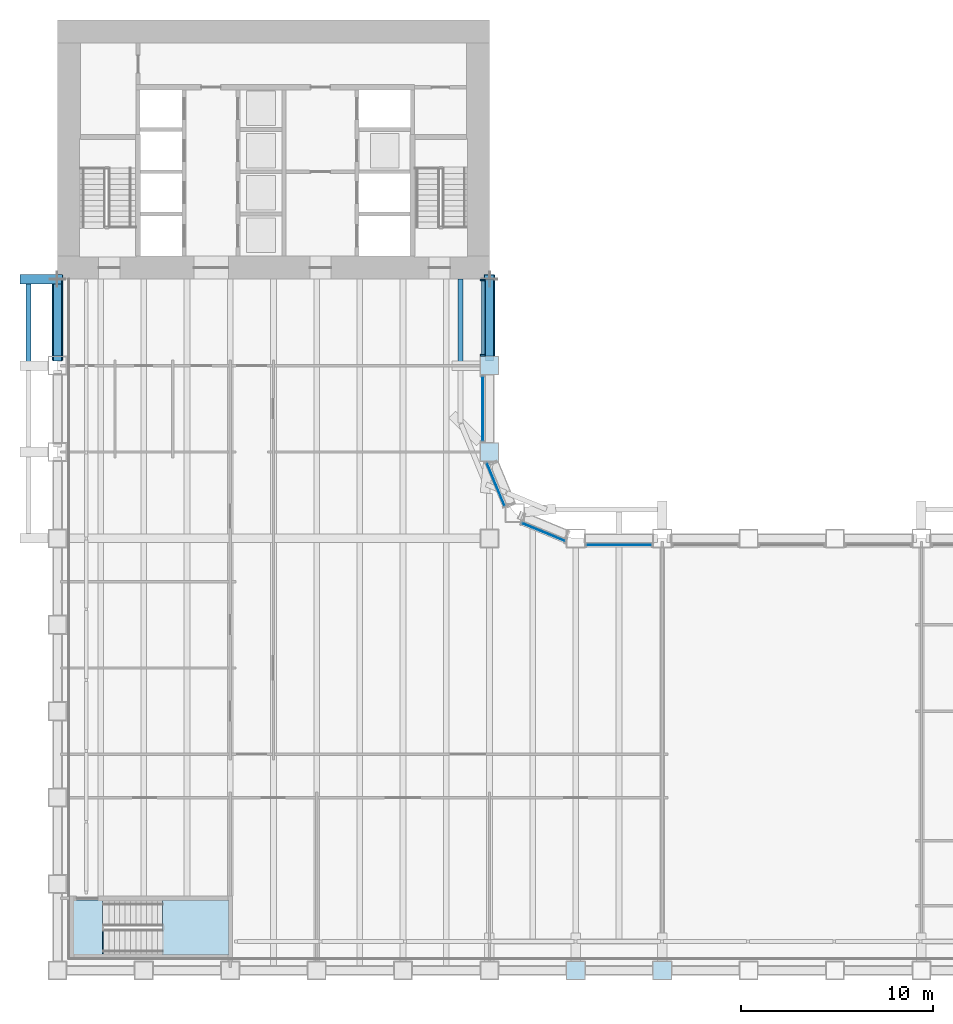
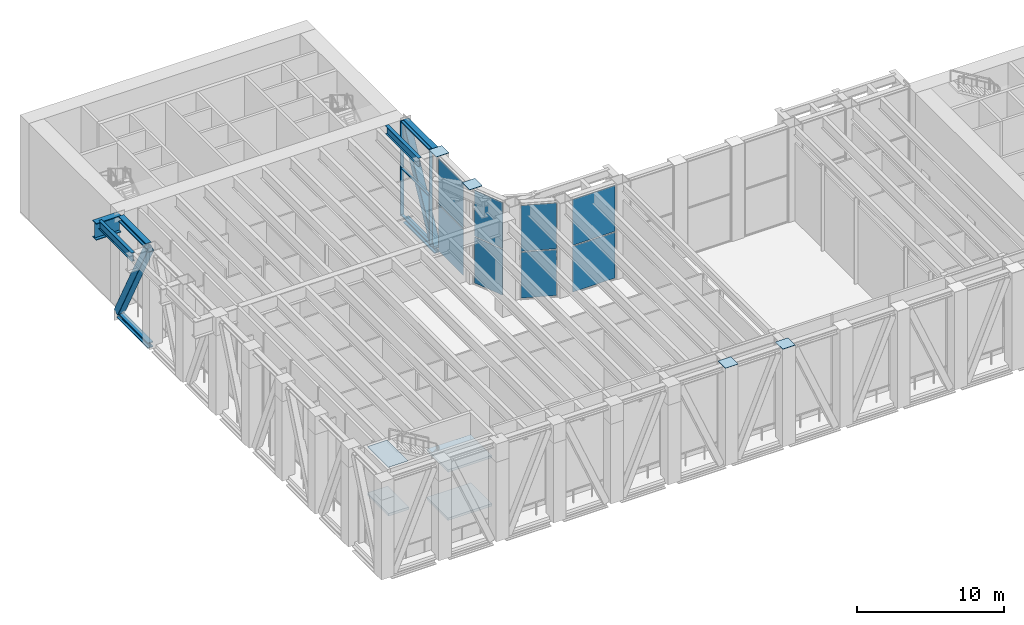
# One storey, part 4 of 21: 12 plates, 11 members, 4 slabs, 3 beams, 6 elements without a shape of their own.
"""IFC4 building model written with IfcOpenShell, lengths in metres."""

from ifc_helpers import new_model, si_unit, direction, frame, origin, origin_2d, place, context, subcontext, project, spatial, polyline, rectangle, hollow_rectangle, i_section, outline, extrude, material, layer, layer_set, material_profile, profile_set, type_object, element, aggregate, save


model = new_model("IFC4")

# Units and contexts
model_context = context("Model", 3, precision=1e-05, world=origin(), true_north=direction((0.0, 1.0)))
body_context = subcontext(model_context, "Body", "Model", "MODEL_VIEW")
ifc_project = project(units=[si_unit("LENGTHUNIT", "METRE"), si_unit("AREAUNIT", "SQUARE_METRE"), si_unit("VOLUMEUNIT", "CUBIC_METRE"), si_unit("PLANEANGLEUNIT", "RADIAN"), si_unit("MASSUNIT", "GRAM", prefix="KILO")], contexts=[model_context])

# Site, building, storey
site_placement = place(None, origin())
site = spatial("IfcSite", under=ifc_project, at=site_placement, CompositionType="ELEMENT")
building_placement = place(site_placement, origin())
building = spatial("IfcBuilding", under=site, at=building_placement, Name="Sennacour Bend Tower", CompositionType="ELEMENT")
storey_placement = place(building_placement, frame((0.0, 0.0, 131.0)))
storey = spatial("IfcBuildingStorey", under=building, at=storey_placement, Name="L30", CompositionType="ELEMENT", Elevation=131.0)

# Members
ifc_material_1 = material(Name="Steel ASTM A992 Grade 50", Category="steel")
ifc_material_profile_1 = material_profile(ifc_material_1, i_section(OverallWidth=0.4189453125, OverallDepth=0.455078125, WebThickness=0.042236328125, FlangeThickness=0.067626953125, FilletRadius=0.01513671875, at=origin_2d()), Name="Steel ASTM A992 Grade 50", Category="steel")
ifc_profile_set_1 = profile_set([ifc_material_profile_1], Name="Steel ASTM A992 Grade 50")
member_type_1 = type_object("IfcMemberType", Name="Belt truss chord W360X551", PredefinedType="CHORD", material=ifc_profile_set_1)
for number, where, z_axis, x_axis, name in (
    (1, (0.0, 31.75, -0.4775390625), (0.0, 1.0, 0.0), (-1.0, 0.0, 0.0), "Belt truss chord BC L30-003"),
    (2, (22.5, 36.0, -0.4775390625), (0.0, -1.0, 0.0), (1.0, 0.0, 0.0), "Belt truss chord BC L30-004"),
):
    element("IfcMember", number, at=place(storey_placement, frame(where, z_axis=z_axis, x_axis=x_axis)), inside=storey, type_object=member_type_1, Name=name, PredefinedType="CHORD", context=body_context, shape_type="SweptSolid", body=[
        extrude(i_section(OverallWidth=0.4189453125, OverallDepth=0.455078125, WebThickness=0.042236328125, FlangeThickness=0.067626953125, FilletRadius=0.01513671875, at=origin_2d()), origin(), (0.0, 0.0, 1.0), 4.25),
    ])
member_1_placement = place(storey_placement, frame((0.0, 32.0, 7.62255859375), z_axis=(0.0, 1.0, 0.0), x_axis=(-1.0, 0.0, 0.0)))
element("IfcMember", 3, at=member_1_placement, inside=storey, type_object=member_type_1, Name="Belt truss chord BC L30-003", PredefinedType="CHORD", context=body_context, shape_type="SweptSolid", body=[
    extrude(i_section(OverallWidth=0.4189453125, OverallDepth=0.455078125, WebThickness=0.042236328125, FlangeThickness=0.067626953125, FilletRadius=0.01513671875, at=origin_2d()), origin(), (0.0, 0.0, 1.0), 3.75),
])
member_2_placement = place(storey_placement, frame((22.5, 36.0, 7.62255859375), z_axis=(0.0, -1.0, 0.0), x_axis=(1.0, 0.0, 0.0)))
element("IfcMember", 4, at=member_2_placement, inside=storey, type_object=member_type_1, Name="Belt truss chord BC L30-004", PredefinedType="CHORD", context=body_context, shape_type="SweptSolid", body=[
    extrude(i_section(OverallWidth=0.4189453125, OverallDepth=0.455078125, WebThickness=0.042236328125, FlangeThickness=0.067626953125, FilletRadius=0.01513671875, at=origin_2d()), origin(), (0.0, 0.0, 1.0), 4.0),
])

# Curtain wall, members
ifc_material_2 = material(Name="Bronze anodised aluminium curtain wall with clear glass", Category="aluminium")
curtain_wall_type = type_object("IfcCurtainWallType", Name="CURTAIN WALL GARDEN", PredefinedType="NOTDEFINED", material=ifc_material_2)
curtain_wall_1_placement = place(storey_placement, origin())
curtain_wall_1 = element("IfcCurtainWall", 5, at=curtain_wall_1_placement, inside=storey, type_object=curtain_wall_type, Name="Sky garden glass wall L30", PredefinedType="NOTDEFINED")
ifc_material_3 = material(Name="Aluminium 6063-T6", Category="aluminium")
ifc_material_profile_2 = material_profile(ifc_material_3, rectangle(XDim=0.25, YDim=0.080078125, at=origin_2d()), Name="Aluminium 6063-T6", Category="aluminium")
ifc_profile_set_2 = profile_set([ifc_material_profile_2], Name="Aluminium 6063-T6")
member_type_2 = type_object("IfcMemberType", Name="CW-MULLION-250X80", PredefinedType="MULLION", material=ifc_profile_set_2)
member_3_placement = place(storey_placement, frame((22.156005859375, 35.958984375, 0.0), z_axis=(0.0, 0.0, 1.0), x_axis=(1.0, 0.0, 0.0)))
member_3 = element("IfcMember", 6, at=member_3_placement, type_object=member_type_2, Name="GW6 curtain wall mullion 1", PredefinedType="MULLION", context=body_context, shape_type="SweptSolid", body=[
    extrude(rectangle(XDim=0.25, YDim=0.080078125, at=origin_2d()), origin(), (0.0, 0.0, 1.0), 7.85009765625),
])
member_4_placement = place(storey_placement, frame((22.156005859375, 32.0400390625, 0.0), z_axis=(0.0, 0.0, 1.0), x_axis=(1.0, 0.0, 0.0)))
member_4 = element("IfcMember", 7, at=member_4_placement, type_object=member_type_2, Name="GW6 curtain wall mullion 2", PredefinedType="MULLION", context=body_context, shape_type="SweptSolid", body=[
    extrude(rectangle(XDim=0.25, YDim=0.080078125, at=origin_2d()), origin(), (0.0, 0.0, 1.0), 7.85009765625),
])
ifc_material_profile_3 = material_profile(ifc_material_3, rectangle(XDim=0.199951171875, YDim=0.080078125, at=origin_2d()), Name="Aluminium 6063-T6", Category="aluminium")
ifc_profile_set_3 = profile_set([ifc_material_profile_3], Name="Aluminium 6063-T6")
member_type_3 = type_object("IfcMemberType", Name="CW-TRANSOM-200X80", PredefinedType="USERDEFINED", material=ifc_profile_set_3)
member_5_placement = place(storey_placement, frame((22.156005859375, 35.9189453125, 0.0400390625), z_axis=(0.0, -1.0, 0.0), x_axis=(1.0, 0.0, 0.0)))
member_5 = element("IfcMember", 8, at=member_5_placement, type_object=member_type_3, Name="GW6 curtain wall transom 1.1", ObjectType="TRANSOM", PredefinedType="USERDEFINED", context=body_context, shape_type="SweptSolid", body=[
    extrude(rectangle(XDim=0.199951171875, YDim=0.080078125, at=origin_2d()), origin(), (0.0, 0.0, 1.0), 3.8388671875),
])
member_6_placement = place(storey_placement, frame((22.156005859375, 35.9189453125, 3.925048828125), z_axis=(0.0, -1.0, 0.0), x_axis=(1.0, 0.0, 0.0)))
member_6 = element("IfcMember", 9, at=member_6_placement, type_object=member_type_3, Name="GW6 curtain wall transom 1.2", ObjectType="TRANSOM", PredefinedType="USERDEFINED", context=body_context, shape_type="SweptSolid", body=[
    extrude(rectangle(XDim=0.199951171875, YDim=0.080078125, at=origin_2d()), origin(), (0.0, 0.0, 1.0), 3.8388671875),
])
member_7_placement = place(storey_placement, frame((22.156005859375, 35.9189453125, 7.81005859375), z_axis=(0.0, -1.0, 0.0), x_axis=(1.0, 0.0, 0.0)))
member_7 = element("IfcMember", 10, at=member_7_placement, type_object=member_type_3, Name="GW6 curtain wall transom 1.3", ObjectType="TRANSOM", PredefinedType="USERDEFINED", context=body_context, shape_type="SweptSolid", body=[
    extrude(rectangle(XDim=0.199951171875, YDim=0.080078125, at=origin_2d()), origin(), (0.0, 0.0, 1.0), 3.8388671875),
])
aggregate(curtain_wall_1, [member_3, member_4, member_5, member_6, member_7])

# Members
ifc_material_4 = material(Name="Steel ASTM A500 Grade C", Category="steel")
ifc_material_profile_4 = material_profile(ifc_material_4, hollow_rectangle(XDim=0.558837890625, YDim=0.558837890625, WallThickness=0.01904296875, InnerFilletRadius=0.01904296875, OuterFilletRadius=0.0380859375, at=origin_2d()), Name="Steel ASTM A500 Grade C", Category="steel")
ifc_profile_set_4 = profile_set([ifc_material_profile_4], Name="Steel ASTM A500 Grade C")
member_type_4 = type_object("IfcMemberType", Name="Outrigger truss diagonal 559", PredefinedType="BRACE", material=ifc_profile_set_4)
for number, where, z_axis, x_axis, name in (
    (11, (0.0, 32.0, 7.39501953125), (0.0, 0.463594594388, -0.88604743217), (-1.0, 0.0, 0.0), "Outrigger truss diagonal OD L30-003"),
    (12, (22.5, 32.0, -0.25), (0.0, 0.463594594388, 0.88604743217), (-1.0, 0.0, 0.0), "Outrigger truss diagonal OD L30-004"),
):
    element("IfcMember", number, at=place(storey_placement, frame(where, z_axis=z_axis, x_axis=x_axis)), inside=storey, type_object=member_type_4, Name=name, PredefinedType="BRACE", context=body_context, shape_type="SweptSolid", body=[
        extrude(hollow_rectangle(XDim=0.558837890625, YDim=0.558837890625, WallThickness=0.01904296875, InnerFilletRadius=0.01904296875, OuterFilletRadius=0.0380859375, at=origin_2d()), origin(), (0.0, 0.0, 1.0), 8.628173828125),
    ])

# Beams
ifc_material_profile_5 = material_profile(ifc_material_1, i_section(OverallWidth=0.25390625, OverallDepth=0.700927734375, WebThickness=0.015380859375, FlangeThickness=0.02783203125, FilletRadius=0.015380859375, at=origin_2d()), Name="Steel ASTM A992 Grade 50", Category="steel")
ifc_profile_set_5 = profile_set([ifc_material_profile_5], Name="Steel ASTM A992 Grade 50")
beam_type_1 = type_object("IfcBeamType", Name="Spandrel beam W690X192", PredefinedType="SPANDREL", material=ifc_profile_set_5)
beam_1_placement = place(storey_placement, frame((-1.5, 31.514892578125, 7.49951171875), z_axis=(0.0, 1.0, 0.0), x_axis=(-1.0, 0.0, 0.0)))
element("IfcBeam", 13, at=beam_1_placement, inside=storey, type_object=beam_type_1, Name="Spandrel beam SP4 L31-011", PredefinedType="SPANDREL", context=body_context, shape_type="SweptSolid", body=[
    extrude(i_section(OverallWidth=0.25390625, OverallDepth=0.700927734375, WebThickness=0.015380859375, FlangeThickness=0.02783203125, FilletRadius=0.015380859375, at=origin_2d()), origin(), (0.0, 0.0, 1.0), 4.47021484375),
])
beam_2_placement = place(storey_placement, frame((21.0, 36.0, 7.49951171875), z_axis=(0.0, -1.0, 0.0), x_axis=(1.0, 0.0, 0.0)))
element("IfcBeam", 14, at=beam_2_placement, inside=storey, type_object=beam_type_1, Name="Spandrel beam SP4 L31-012", PredefinedType="SPANDREL", context=body_context, shape_type="SweptSolid", body=[
    extrude(i_section(OverallWidth=0.25390625, OverallDepth=0.700927734375, WebThickness=0.015380859375, FlangeThickness=0.02783203125, FilletRadius=0.015380859375, at=origin_2d()), origin(), (0.0, 0.0, 1.0), 4.485107421875),
])
ifc_material_5 = material(Name="Steel ASTM A572 Grade 50", Category="steel")
ifc_material_profile_6 = material_profile(ifc_material_5, i_section(OverallWidth=0.5, OverallDepth=1.39990234375, WebThickness=0.030029296875, FlangeThickness=0.054931640625, at=origin_2d()), Name="Steel ASTM A572 Grade 50", Category="steel")
ifc_profile_set_6 = profile_set([ifc_material_profile_6], Name="Steel ASTM A572 Grade 50")
beam_type_2 = type_object("IfcBeamType", Name="Transfer stub 1400", PredefinedType="USERDEFINED", material=ifc_profile_set_6)
beam_3_placement = place(storey_placement, frame((0.0, 36.0, 7.14990234375), z_axis=(-1.0, 0.0, 0.0), x_axis=(0.0, -1.0, 0.0)))
element("IfcBeam", 15, at=beam_3_placement, inside=storey, type_object=beam_type_2, Name="Transfer beam TS L31-004", ObjectType="TRANSFER BEAM", PredefinedType="USERDEFINED", context=body_context, shape_type="SweptSolid", body=[
    extrude(i_section(OverallWidth=0.5, OverallDepth=1.39990234375, WebThickness=0.030029296875, FlangeThickness=0.054931640625, at=origin_2d()), origin(), (0.0, 0.0, 1.0), 1.949951171875),
])

# Plates
ifc_layer_1 = layer(ifc_material_5, 0.02490234375, Name="Steel ASTM A572 Grade 50", Category="steel")
ifc_layer_set_1 = layer_set([ifc_layer_1], Name="Steel ASTM A572 Grade 50")
plate_type_1 = type_object("IfcPlateType", Name="Column cap plate 1000", PredefinedType="USERDEFINED", material=ifc_layer_set_1)
for number, where, z_axis, x_axis, name in (
    (16, (22.5, 27.0, 7.85009765625), (0.0, 0.0, 1.0), (1.0, 0.0, 0.0), "Column cap plate L30-015"),
    (17, (22.5, 31.5, 7.85009765625), (0.0, 0.0, 1.0), (1.0, 0.0, 0.0), "Column cap plate L30-016"),
    (18, (27.0, 0.0, 7.85009765625), (0.0, 0.0, 1.0), (1.0, 0.0, 0.0), "Column cap plate L30-018"),
    (19, (31.5, 0.0, 7.85009765625), (0.0, 0.0, 1.0), (1.0, 0.0, 0.0), "Column cap plate L30-020"),
):
    element("IfcPlate", number, at=place(storey_placement, frame(where, z_axis=z_axis, x_axis=x_axis)), inside=storey, type_object=plate_type_1, Name=name, ObjectType="END PLATE", PredefinedType="USERDEFINED", context=body_context, shape_type="SweptSolid", body=[
        extrude(rectangle(XDim=1.0, YDim=1.0, at=origin_2d()), origin(), (0.0, 0.0, 1.0), 0.02490234375),
    ])

# Curtain wall, plates
curtain_wall_2_placement = place(storey_placement, origin())
curtain_wall_2 = element("IfcCurtainWall", 20, at=curtain_wall_2_placement, inside=storey, type_object=curtain_wall_type, Name="Sky garden glass wall L30", PredefinedType="NOTDEFINED")
ifc_material_6 = material(Name="Laminated clear low-emissivity glass", Category="glass")
ifc_layer_2 = layer(ifc_material_6, 0.035888671875, Name="Laminated clear low-emissivity glass", Category="glass")
ifc_layer_set_2 = layer_set([ifc_layer_2], Name="Laminated clear low-emissivity glass")
plate_type_2 = type_object("IfcPlateType", Name="PNL-GLASS-LAM36", PredefinedType="CURTAIN_PANEL", material=ifc_layer_set_2)
plate_1_placement = place(storey_placement, frame((22.156005859375, 29.25, 0.080078125), z_axis=(0.0, 0.0, 1.0), x_axis=(0.0, -1.0, 0.0)))
plate_1 = element("IfcPlate", 21, at=plate_1_placement, type_object=plate_type_2, Name="GW6 curtain wall panel 1.1", PredefinedType="CURTAIN_PANEL", context=body_context, shape_type="SweptSolid", body=[
    extrude(rectangle(XDim=3.340087890625, YDim=0.035888671875, at=origin_2d()), origin(), (0.0, 0.0, 1.0), 3.804931640625),
])
plate_2_placement = place(storey_placement, frame((22.156005859375, 29.25, 3.96484375), z_axis=(0.0, 0.0, 1.0), x_axis=(0.0, -1.0, 0.0)))
plate_2 = element("IfcPlate", 22, at=plate_2_placement, type_object=plate_type_2, Name="GW6 curtain wall panel 1.2", PredefinedType="CURTAIN_PANEL", context=body_context, shape_type="SweptSolid", body=[
    extrude(rectangle(XDim=3.340087890625, YDim=0.035888671875, at=origin_2d()), origin(), (0.0, 0.0, 1.0), 3.804931640625),
])
aggregate(curtain_wall_2, [plate_1, plate_2])

curtain_wall_3_placement = place(storey_placement, origin())
curtain_wall_3 = element("IfcCurtainWall", 23, at=curtain_wall_3_placement, inside=storey, type_object=curtain_wall_type, Name="Sky garden glass wall L30", PredefinedType="NOTDEFINED")
plate_3_placement = place(storey_placement, frame((29.25, 22.156005859375, 0.080078125), z_axis=(0.0, 0.0, 1.0), x_axis=(1.0, 0.0, 0.0)))
plate_3 = element("IfcPlate", 24, at=plate_3_placement, type_object=plate_type_2, Name="GW6 curtain wall panel 1.1", PredefinedType="CURTAIN_PANEL", context=body_context, shape_type="SweptSolid", body=[
    extrude(rectangle(XDim=3.340087890625, YDim=0.035888671875, at=origin_2d()), origin(), (0.0, 0.0, 1.0), 3.804931640625),
])
plate_4_placement = place(storey_placement, frame((29.25, 22.156005859375, 3.96484375), z_axis=(0.0, 0.0, 1.0), x_axis=(1.0, 0.0, 0.0)))
plate_4 = element("IfcPlate", 25, at=plate_4_placement, type_object=plate_type_2, Name="GW6 curtain wall panel 1.2", PredefinedType="CURTAIN_PANEL", context=body_context, shape_type="SweptSolid", body=[
    extrude(rectangle(XDim=3.340087890625, YDim=0.035888671875, at=origin_2d()), origin(), (0.0, 0.0, 1.0), 3.804931640625),
])
aggregate(curtain_wall_3, [plate_3, plate_4])

curtain_wall_4_placement = place(storey_placement, origin())
curtain_wall_4 = element("IfcCurtainWall", 26, at=curtain_wall_4_placement, inside=storey, type_object=curtain_wall_type, Name="Sky garden glass wall L30", PredefinedType="NOTDEFINED")
plate_5_placement = place(storey_placement, frame((22.826416015625, 25.31298828125, 0.080078125), z_axis=(0.0, 0.0, 1.0), x_axis=(0.382669149734, -0.923885448441, 0.0)))
plate_5 = element("IfcPlate", 27, at=plate_5_placement, type_object=plate_type_2, Name="GW6 curtain wall panel 1.1", PredefinedType="CURTAIN_PANEL", context=body_context, shape_type="SweptSolid", body=[
    extrude(rectangle(XDim=2.40966796875, YDim=0.035888671875, at=origin_2d()), origin(), (0.0, 0.0, 1.0), 3.804931640625),
])
plate_6_placement = place(storey_placement, frame((22.826416015625, 25.31298828125, 3.96484375), z_axis=(0.0, 0.0, 1.0), x_axis=(0.382669149734, -0.923885448441, 0.0)))
plate_6 = element("IfcPlate", 28, at=plate_6_placement, type_object=plate_type_2, Name="GW6 curtain wall panel 1.2", PredefinedType="CURTAIN_PANEL", context=body_context, shape_type="SweptSolid", body=[
    extrude(rectangle(XDim=2.40966796875, YDim=0.035888671875, at=origin_2d()), origin(), (0.0, 0.0, 1.0), 3.804931640625),
])
aggregate(curtain_wall_4, [plate_5, plate_6])

curtain_wall_5_placement = place(storey_placement, origin())
curtain_wall_5 = element("IfcCurtainWall", 29, at=curtain_wall_5_placement, inside=storey, type_object=curtain_wall_type, Name="Sky garden glass wall L30", PredefinedType="NOTDEFINED")
plate_7_placement = place(storey_placement, frame((25.31298828125, 22.826416015625, 0.080078125), z_axis=(0.0, 0.0, 1.0), x_axis=(0.923885448441, -0.382669149734, 0.0)))
plate_7 = element("IfcPlate", 30, at=plate_7_placement, type_object=plate_type_2, Name="GW6 curtain wall panel 1.1", PredefinedType="CURTAIN_PANEL", context=body_context, shape_type="SweptSolid", body=[
    extrude(rectangle(XDim=2.40966796875, YDim=0.035888671875, at=origin_2d()), origin(), (0.0, 0.0, 1.0), 3.804931640625),
])
plate_8_placement = place(storey_placement, frame((25.31298828125, 22.826416015625, 3.96484375), z_axis=(0.0, 0.0, 1.0), x_axis=(0.923885448441, -0.382669149734, 0.0)))
plate_8 = element("IfcPlate", 31, at=plate_8_placement, type_object=plate_type_2, Name="GW6 curtain wall panel 1.2", PredefinedType="CURTAIN_PANEL", context=body_context, shape_type="SweptSolid", body=[
    extrude(rectangle(XDim=2.40966796875, YDim=0.035888671875, at=origin_2d()), origin(), (0.0, 0.0, 1.0), 3.804931640625),
])
aggregate(curtain_wall_5, [plate_7, plate_8])

# Slab
ifc_material_7 = material(Name="Concrete C40/50", Category="concrete")
ifc_layer_3 = layer(ifc_material_7, 0.034912109375, Name="Concrete C40/50", Category="concrete")
ifc_layer_set_3 = layer_set([ifc_layer_3], Name="Concrete C40/50")
slab_type_1 = type_object("IfcSlabType", Name="Stair arrival nib 35", PredefinedType="FLOOR", material=ifc_layer_set_3)
slab_1_placement = place(storey_placement, frame((0.0, 0.0, 7.815185546875)))
element("IfcSlab", 32, at=slab_1_placement, inside=storey, type_object=slab_type_1, Name="L30 SK1 stair arrival nib", PredefinedType="FLOOR", context=body_context, shape_type="SweptSolid", body=[
    extrude(outline(polyline([(2.342041015625, 3.675048828125), (0.800048828125, 3.675048828125), (0.800048828125, 0.800048828125), (2.342041015625, 0.800048828125), (2.342041015625, 3.675048828125)])), origin(), (0.0, 0.0, 1.0), 0.034912109375),
])

# Stair, slabs
stair_type = type_object("IfcStairType", Name="ST-DOGLEG", PredefinedType="HALF_TURN_STAIR", material=ifc_material_7)
stair_placement = place(storey_placement, origin())
stair = element("IfcStair", 33, at=stair_placement, inside=storey, type_object=stair_type, Name="L30 Exit stair K1", PredefinedType="HALF_TURN_STAIR")
ifc_layer_4 = layer(ifc_material_7, 0.199951171875, Name="Concrete C40/50", Category="concrete")
ifc_layer_set_4 = layer_set([ifc_layer_4], Name="Concrete C40/50")
slab_type_2 = type_object("IfcSlabType", Name="Stair landing 200", PredefinedType="LANDING", material=ifc_layer_set_4)
slab_2_placement = place(storey_placement, frame((0.0, 0.0, 1.800048828125)))
slab_2 = element("IfcSlab", 34, at=slab_2_placement, type_object=slab_type_2, Name="SK1 landing 1", PredefinedType="LANDING", context=body_context, shape_type="SweptSolid", body=[
    extrude(outline(polyline([(5.47998046875, 0.800048828125), (8.925048828125, 0.800048828125), (8.925048828125, 3.675048828125), (5.47998046875, 3.675048828125), (5.47998046875, 0.800048828125)])), origin(), (0.0, 0.0, 1.0), 0.199951171875),
])
slab_3_placement = place(storey_placement, frame((0.0, 0.0, 3.800048828125)))
slab_3 = element("IfcSlab", 35, at=slab_3_placement, type_object=slab_type_2, Name="SK1 landing 2", PredefinedType="LANDING", context=body_context, shape_type="SweptSolid", body=[
    extrude(outline(polyline([(0.800048828125, 0.800048828125), (2.39990234375, 0.800048828125), (2.39990234375, 3.675048828125), (0.800048828125, 3.675048828125), (0.800048828125, 0.800048828125)])), origin(), (0.0, 0.0, 1.0), 0.199951171875),
])
slab_4_placement = place(storey_placement, frame((0.0, 0.0, 5.800048828125)))
slab_4 = element("IfcSlab", 36, at=slab_4_placement, type_object=slab_type_2, Name="SK1 landing 3", PredefinedType="LANDING", context=body_context, shape_type="SweptSolid", body=[
    extrude(outline(polyline([(5.47998046875, 0.800048828125), (8.925048828125, 0.800048828125), (8.925048828125, 3.675048828125), (5.47998046875, 3.675048828125), (5.47998046875, 0.800048828125)])), origin(), (0.0, 0.0, 1.0), 0.199951171875),
])
aggregate(stair, [slab_2, slab_3, slab_4])

save(model, "model.ifc")
